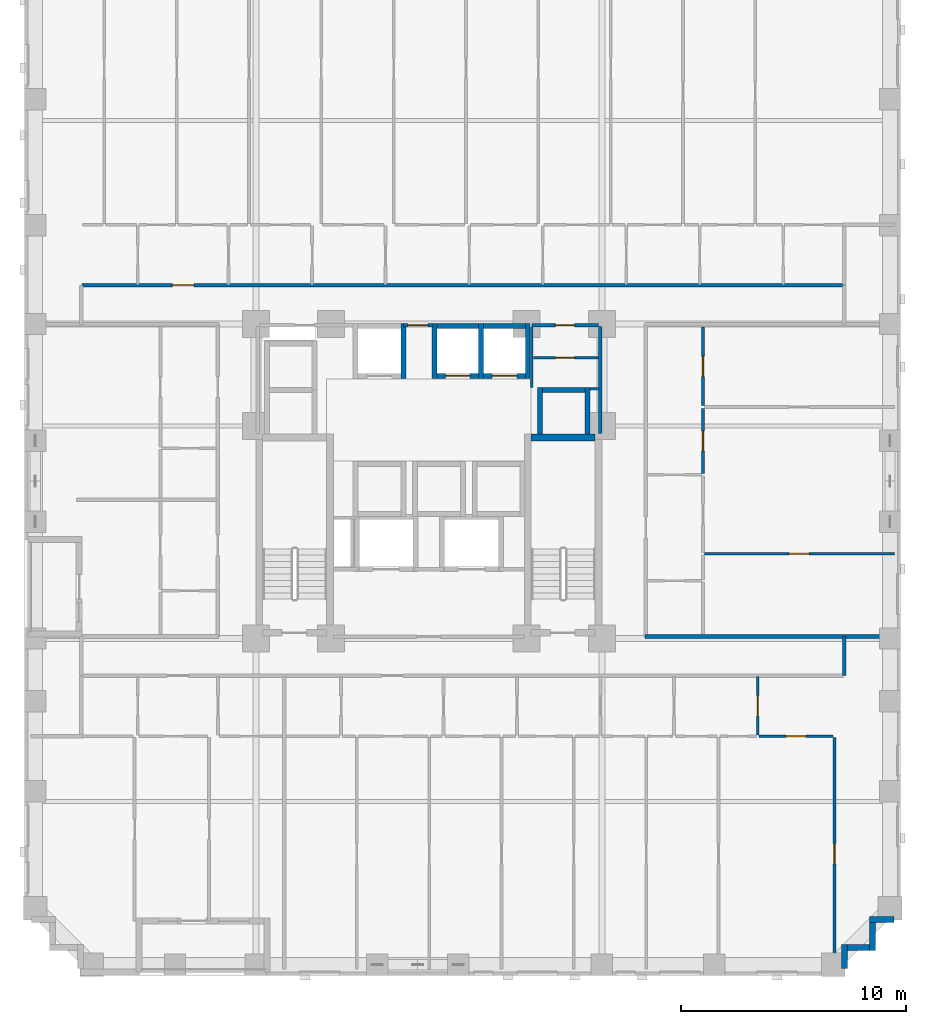
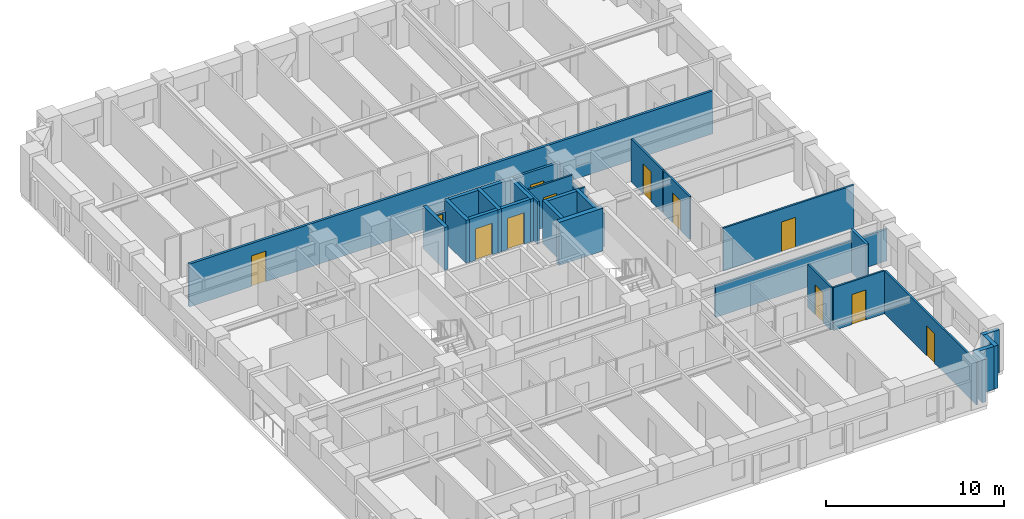
# One storey, part 6 of 14: 31 walls, 12 doors, 12 openings.
"""IFC4 building model written with IfcOpenShell, lengths in metres."""

from ifc_helpers import new_model, si_unit, derived_unit, direction, frame, frame_2d, origin, place, context, subcontext, project, spatial, rectangle, extrude, material, layer, layer_set, type_object, element, fill, save


model = new_model("IFC4")

# Units and contexts
model_context = context("Model", 3, precision=1e-05, world=origin(), true_north=direction((0.0, 1.0)))
body_context = subcontext(model_context, "Body", "Model", "MODEL_VIEW")
ifc_project = project(units=[si_unit("LENGTHUNIT", "METRE"), si_unit("AREAUNIT", "SQUARE_METRE"), si_unit("VOLUMEUNIT", "CUBIC_METRE"), si_unit("PLANEANGLEUNIT", "RADIAN"), si_unit("MASSUNIT", "GRAM", prefix="KILO"), derived_unit("THERMALTRANSMITTANCEUNIT", [(si_unit("MASSUNIT", "GRAM", prefix="KILO"), 1), (si_unit("TIMEUNIT", "SECOND"), -3), (si_unit("THERMODYNAMICTEMPERATUREUNIT", "KELVIN"), -1)])], contexts=[model_context])

# Site, building, storey
site_placement = place(None, origin())
site = spatial("IfcSite", under=ifc_project, at=site_placement, CompositionType="ELEMENT")
building_placement = place(site_placement, origin())
building = spatial("IfcBuilding", under=site, at=building_placement, Name="Korrvale Station Residences", CompositionType="ELEMENT")
storey_placement = place(building_placement, frame((0.0, 0.0, 38.60009765625)))
storey = spatial("IfcBuildingStorey", under=building, at=storey_placement, Name="L09", CompositionType="ELEMENT", Elevation=38.60009765625)

# Walls
ifc_material_1 = material(Name="Concrete C70/85", Category="concrete")
ifc_layer_1 = layer(ifc_material_1, 0.300048828125, Name="Concrete C70/85")
ifc_layer_set_1 = layer_set([ifc_layer_1], Name="Concrete C70/85")
wall_type_1 = type_object("IfcWallType", Name="WAL-CORE-300-C70", PredefinedType="SHEAR", material=ifc_layer_set_1)
wall_1_placement = place(storey_placement, frame((30.050048828125, 23.949951171875, 0.0), z_axis=(0.0, 0.0, 1.0), x_axis=(1.0, 0.0, 0.0)))
element("IfcWall", 1, at=wall_1_placement, inside=storey, type_object=wall_type_1, Name="L09 ST-2 Core Shear Wall North", PredefinedType="SHEAR", context=body_context, shape_type="SweptSolid", body=[
    extrude(rectangle(XDim=2.849853515625, YDim=0.300048828125, at=frame_2d((1.4248046875, 0.0))), origin(), (0.0, 0.0, 1.0), 2.93994140625),
])
ifc_material_2 = material(Name="Precast concrete C45/55", Category="concrete")
ifc_layer_2 = layer(ifc_material_2, 0.260009765625, Name="Precast concrete C45/55")
ifc_layer_set_2 = layer_set([ifc_layer_2], Name="Precast concrete C45/55")
wall_type_2 = type_object("IfcWallType", Name="WAL-EXT-LOG260", PredefinedType="SOLIDWALL", material=ifc_layer_set_2)
wall_2_placement = place(storey_placement, frame((46.197998046875, 2.5, 0.0), z_axis=(0.0, 0.0, 1.0), x_axis=(-1.0, 0.0, 0.0)))
element("IfcWall", 2, at=wall_2_placement, inside=storey, type_object=wall_type_2, Name="L09 Serrated Corner Precast Step SE-1", PredefinedType="SOLIDWALL", context=body_context, shape_type="SweptSolid", body=[
    extrude(rectangle(XDim=1.077880859375, YDim=0.260009765625, at=frame_2d((0.5390625, 0.0))), origin(), (0.0, 0.0, 1.0), 2.93994140625),
])
wall_3_placement = place(storey_placement, frame((45.25, 2.367919921875, 0.0), z_axis=(0.0, 0.0, 1.0), x_axis=(0.0, -1.0, 0.0)))
element("IfcWall", 3, at=wall_3_placement, inside=storey, type_object=wall_type_2, Name="L09 Serrated Corner Precast Step SE-2", PredefinedType="SOLIDWALL", context=body_context, shape_type="SweptSolid", body=[
    extrude(rectangle(XDim=1.247802734375, YDim=0.260009765625, at=frame_2d((0.6240234375, 0.0))), origin(), (0.0, 0.0, 1.0), 2.93994140625),
])
wall_4_placement = place(storey_placement, frame((45.117919921875, 1.25, 0.0), z_axis=(0.0, 0.0, 1.0), x_axis=(-1.0, 0.0, 0.0)))
element("IfcWall", 4, at=wall_4_placement, inside=storey, type_object=wall_type_2, Name="L09 Serrated Corner Precast Step SE-3", PredefinedType="SOLIDWALL", context=body_context, shape_type="SweptSolid", body=[
    extrude(rectangle(XDim=0.98583984375, YDim=0.260009765625, at=frame_2d((0.492919921875, 0.0))), origin(), (0.0, 0.0, 1.0), 2.93994140625),
])
wall_5_placement = place(storey_placement, frame((44.0, 1.3798828125, 0.0), z_axis=(0.0, 0.0, 1.0), x_axis=(0.0, -1.0, 0.0)))
element("IfcWall", 5, at=wall_5_placement, inside=storey, type_object=wall_type_2, Name="L09 Serrated Corner Precast Step SE-4", PredefinedType="SOLIDWALL", context=body_context, shape_type="SweptSolid", body=[
    extrude(rectangle(XDim=1.077880859375, YDim=0.260009765625, at=frame_2d((0.5390625, 0.0))), origin(), (0.0, 0.0, 1.0), 2.93994140625),
])
ifc_material_3 = material(Name="Acoustic steel-stud gypsum board partition", Category="steel")
ifc_layer_3 = layer(ifc_material_3, 0.1201171875, Name="Acoustic steel-stud gypsum board partition")
ifc_layer_set_3 = layer_set([ifc_layer_3], Name="Acoustic steel-stud gypsum board partition")
wall_type_3 = type_object("IfcWallType", Name="WAL-PART-125", PredefinedType="PARTITIONING", material=ifc_layer_set_3)
wall_6_placement = place(storey_placement, frame((30.080078125, 26.179931640625, 0.0), z_axis=(0.0, 0.0, 1.0), x_axis=(0.0, 1.0, 0.0)))
element("IfcWall", 6, at=wall_6_placement, inside=storey, type_object=wall_type_3, Name="L09 Core Partition CW-CS-W", PredefinedType="PARTITIONING", context=body_context, shape_type="SweptSolid", body=[
    extrude(rectangle(XDim=2.68017578125, YDim=0.1201171875, at=frame_2d((1.340087890625, 0.0))), origin(), (0.0, 0.0, 1.0), 2.93994140625),
])
wall_7_placement = place(storey_placement, frame((32.679931640625, 26.1201171875, 0.0), z_axis=(0.0, 0.0, 1.0), x_axis=(1.0, 0.0, 0.0)))
element("IfcWall", 7, at=wall_7_placement, inside=storey, type_object=wall_type_3, Name="L09 Core Partition CW-CS-S", PredefinedType="PARTITIONING", context=body_context, shape_type="SweptSolid", body=[
    extrude(rectangle(XDim=0.380126953125, YDim=0.1201171875, at=frame_2d((0.18994140625, 0.0))), origin(), (0.0, 0.0, 1.0), 2.93994140625),
])

# Wall, opening, door
wall_8_placement = place(storey_placement, frame((30.159912109375, 27.5, 0.0), z_axis=(0.0, 0.0, 1.0), x_axis=(1.0, 0.0, 0.0)))
wall_8 = element("IfcWall", 8, at=wall_8_placement, inside=storey, type_object=wall_type_3, Name="L09 Core Partition CW-CS-H", PredefinedType="PARTITIONING", context=body_context, shape_type="SweptSolid", body=[
    extrude(rectangle(XDim=2.880126953125, YDim=0.1201171875, at=frame_2d((1.43994140625, 0.0))), origin(), (0.0, 0.0, 1.0), 2.93994140625),
])
opening_1_placement = place(wall_8_placement, frame((0.969970703125, 0.0, 0.0)))
opening_1 = element("IfcOpeningElement", 9, at=opening_1_placement, cuts=wall_8, Name="Opening DB-860", PredefinedType="OPENING", context=body_context, shape_type="SweptSolid", body=[
    extrude(rectangle(XDim=0.860107421875, YDim=2.050048828125, at=frame_2d((0.43017578125, 1.02490234375))), frame((0.0, 0.070068359375, 0.0), z_axis=(0.0, -1.0, 0.0), x_axis=(1.0, 0.0, 0.0)), (0.0, 0.0, 1.0), 0.14013671875),
])
ifc_material_4 = material(Name="Moisture-resistant solid-core bathroom door", Category="timber")
door_type_1 = type_object("IfcDoorType", Name="DR-BATH-860", OperationType="NOTDEFINED", PredefinedType="DOOR", material=ifc_material_4)
door_1_placement = place(opening_1_placement, origin())
door_1 = element("IfcDoor", 10, at=door_1_placement, inside=storey, type_object=door_type_1, Name="L09 Mail Sorting Inner Door", OperationType="SINGLE_SWING_RIGHT", OverallHeight=2.050048828125, OverallWidth=0.860107421875, PredefinedType="DOOR", context=body_context, shape_type="SweptSolid", body=[
    extrude(rectangle(XDim=0.860107421875, YDim=2.050048828125, at=frame_2d((0.43017578125, 1.02490234375))), frame((0.0, 0.02490234375, 0.0), z_axis=(0.0, -1.0, 0.0), x_axis=(1.0, 0.0, 0.0)), (0.0, 0.0, 1.0), 0.050048828125),
])
fill(opening_1, door_1)

wall_9_placement = place(storey_placement, frame((40.1298828125, 10.7099609375, 0.0), z_axis=(0.0, 0.0, 1.0), x_axis=(0.0, 1.0, 0.0)))
wall_9 = element("IfcWall", 11, at=wall_9_placement, inside=storey, type_object=wall_type_3, Name="L09 Suite Partition U02-V56", PredefinedType="PARTITIONING", context=body_context, shape_type="SweptSolid", body=[
    extrude(rectangle(XDim=2.60009765625, YDim=0.1201171875, at=frame_2d((1.300048828125, 0.0))), origin(), (0.0, 0.0, 1.0), 2.93994140625),
])
opening_2_placement = place(wall_9_placement, frame((0.85009765625, 0.0, 0.0)))
opening_2 = element("IfcOpeningElement", 12, at=opening_2_placement, cuts=wall_9, Name="Opening DI-900", PredefinedType="OPENING", context=body_context, shape_type="SweptSolid", body=[
    extrude(rectangle(XDim=0.89990234375, YDim=2.050048828125, at=frame_2d((0.449951171875, 1.02490234375))), frame((0.0, 0.070068359375, 0.0), z_axis=(0.0, -1.0, 0.0), x_axis=(1.0, 0.0, 0.0)), (0.0, 0.0, 1.0), 0.14013671875),
])
ifc_material_5 = material(Name="Painted solid-core timber interior room door", Category="wood")
door_type_2 = type_object("IfcDoorType", Name="DR-INT-900", OperationType="NOTDEFINED", PredefinedType="DOOR", material=ifc_material_5)
door_2_placement = place(opening_2_placement, origin())
door_2 = element("IfcDoor", 13, at=door_2_placement, inside=storey, type_object=door_type_2, Name="L09 Studio Apartment L09-U02 Storage Closet 4 Door", OperationType="SINGLE_SWING_RIGHT", OverallHeight=2.050048828125, OverallWidth=0.89990234375, PredefinedType="DOOR", context=body_context, shape_type="SweptSolid", body=[
    extrude(rectangle(XDim=0.89990234375, YDim=2.050048828125, at=frame_2d((0.449951171875, 1.02490234375))), frame((0.0, 0.02490234375, 0.0), z_axis=(0.0, -1.0, 0.0), x_axis=(1.0, 0.0, 0.0)), (0.0, 0.0, 1.0), 0.050048828125),
])
fill(opening_2, door_2)

wall_10_placement = place(storey_placement, frame((40.18994140625, 10.64990234375, 0.0), z_axis=(0.0, 0.0, 1.0), x_axis=(1.0, 0.0, 0.0)))
wall_10 = element("IfcWall", 14, at=wall_10_placement, inside=storey, type_object=wall_type_3, Name="L09 Suite Partition U02-H613", PredefinedType="PARTITIONING", context=body_context, shape_type="SweptSolid", body=[
    extrude(rectangle(XDim=3.300048828125, YDim=0.1201171875, at=frame_2d((1.64990234375, 0.0))), origin(), (0.0, 0.0, 1.0), 2.93994140625),
])
opening_3_placement = place(wall_10_placement, frame((1.199951171875, 0.0, 0.0)))
opening_3 = element("IfcOpeningElement", 15, at=opening_3_placement, cuts=wall_10, Name="Opening DI-900", PredefinedType="OPENING", context=body_context, shape_type="SweptSolid", body=[
    extrude(rectangle(XDim=0.89990234375, YDim=2.050048828125, at=frame_2d((0.449951171875, 1.02490234375))), frame((0.0, 0.070068359375, 0.0), z_axis=(0.0, -1.0, 0.0), x_axis=(1.0, 0.0, 0.0)), (0.0, 0.0, 1.0), 0.14013671875),
])
door_3_placement = place(opening_3_placement, origin())
door_3 = element("IfcDoor", 16, at=door_3_placement, inside=storey, type_object=door_type_2, Name="L09 Studio Apartment L09-U02 Storage Closet 5 Door", OperationType="SINGLE_SWING_LEFT", OverallHeight=2.050048828125, OverallWidth=0.89990234375, PredefinedType="DOOR", context=body_context, shape_type="SweptSolid", body=[
    extrude(rectangle(XDim=0.89990234375, YDim=2.050048828125, at=frame_2d((0.449951171875, 1.02490234375))), frame((0.0, 0.02490234375, 0.0), z_axis=(0.0, -1.0, 0.0), x_axis=(1.0, 0.0, 0.0)), (0.0, 0.0, 1.0), 0.050048828125),
])
fill(opening_3, door_3)

wall_11_placement = place(storey_placement, frame((43.550048828125, 0.280029296875, 0.0), z_axis=(0.0, 0.0, 1.0), x_axis=(0.0, 1.0, 0.0)))
wall_11 = element("IfcWall", 17, at=wall_11_placement, inside=storey, type_object=wall_type_3, Name="L09 Suite Partition U02-V1314", PredefinedType="PARTITIONING", context=body_context, shape_type="SweptSolid", body=[
    extrude(rectangle(XDim=10.31005859375, YDim=0.1201171875, at=frame_2d((5.155029296875, 0.0))), origin(), (0.0, 0.0, 1.0), 2.93994140625),
])
opening_4_placement = place(wall_11_placement, frame((4.68994140625, 0.0, 0.0)))
opening_4 = element("IfcOpeningElement", 18, at=opening_4_placement, cuts=wall_11, Name="Opening DI-900", PredefinedType="OPENING", context=body_context, shape_type="SweptSolid", body=[
    extrude(rectangle(XDim=0.89990234375, YDim=2.050048828125, at=frame_2d((0.449951171875, 1.02490234375))), frame((0.0, 0.070068359375, 0.0), z_axis=(0.0, -1.0, 0.0), x_axis=(1.0, 0.0, 0.0)), (0.0, 0.0, 1.0), 0.14013671875),
])
door_4_placement = place(opening_4_placement, origin())
door_4 = element("IfcDoor", 19, at=door_4_placement, inside=storey, type_object=door_type_2, Name="L09 Studio Apartment L09-U02 Studio Living Room Door", OperationType="SINGLE_SWING_RIGHT", OverallHeight=2.050048828125, OverallWidth=0.89990234375, PredefinedType="DOOR", context=body_context, shape_type="SweptSolid", body=[
    extrude(rectangle(XDim=0.89990234375, YDim=2.050048828125, at=frame_2d((0.449951171875, 1.02490234375))), frame((0.0, 0.02490234375, 0.0), z_axis=(0.0, -1.0, 0.0), x_axis=(1.0, 0.0, 0.0)), (0.0, 0.0, 1.0), 0.050048828125),
])
fill(opening_4, door_4)

wall_12_placement = place(storey_placement, frame((37.699951171875, 22.35009765625, 0.0), z_axis=(0.0, 0.0, 1.0), x_axis=(0.0, 1.0, 0.0)))
wall_12 = element("IfcWall", 20, at=wall_12_placement, inside=storey, type_object=wall_type_3, Name="L09 Suite Partition U06-V04", PredefinedType="PARTITIONING", context=body_context, shape_type="SweptSolid", body=[
    extrude(rectangle(XDim=2.890869140625, YDim=0.1201171875, at=frame_2d((1.4453125, 0.0))), origin(), (0.0, 0.0, 1.0), 2.93994140625),
])
opening_5_placement = place(wall_12_placement, frame((0.9951171875, 0.0, 0.0)))
opening_5 = element("IfcOpeningElement", 21, at=opening_5_placement, cuts=wall_12, Name="Opening DI-900", PredefinedType="OPENING", context=body_context, shape_type="SweptSolid", body=[
    extrude(rectangle(XDim=0.89990234375, YDim=2.050048828125, at=frame_2d((0.449951171875, 1.02490234375))), frame((0.0, 0.070068359375, 0.0), z_axis=(0.0, -1.0, 0.0), x_axis=(1.0, 0.0, 0.0)), (0.0, 0.0, 1.0), 0.14013671875),
])
door_5_placement = place(opening_5_placement, origin())
door_5 = element("IfcDoor", 22, at=door_5_placement, inside=storey, type_object=door_type_2, Name="L09 Apartment 2BR L09-U06 Wardrobe Storage Room Door", OperationType="SINGLE_SWING_LEFT", OverallHeight=2.050048828125, OverallWidth=0.89990234375, PredefinedType="DOOR", context=body_context, shape_type="SweptSolid", body=[
    extrude(rectangle(XDim=0.89990234375, YDim=2.050048828125, at=frame_2d((0.449951171875, 1.02490234375))), frame((0.0, 0.02490234375, 0.0), z_axis=(0.0, -1.0, 0.0), x_axis=(1.0, 0.0, 0.0)), (0.0, 0.0, 1.0), 0.050048828125),
])
fill(opening_5, door_5)

wall_13_placement = place(storey_placement, frame((37.699951171875, 25.361083984375, 0.0), z_axis=(0.0, 0.0, 1.0), x_axis=(0.0, 1.0, 0.0)))
wall_13 = element("IfcWall", 23, at=wall_13_placement, inside=storey, type_object=wall_type_3, Name="L09 Suite Partition U06-V05", PredefinedType="PARTITIONING", context=body_context, shape_type="SweptSolid", body=[
    extrude(rectangle(XDim=3.4990234375, YDim=0.1201171875, at=frame_2d((1.74951171875, 0.0))), origin(), (0.0, 0.0, 1.0), 2.93994140625),
])
opening_6_placement = place(wall_13_placement, frame((1.299072265625, 0.0, 0.0)))
opening_6 = element("IfcOpeningElement", 24, at=opening_6_placement, cuts=wall_13, Name="Opening DI-900", PredefinedType="OPENING", context=body_context, shape_type="SweptSolid", body=[
    extrude(rectangle(XDim=0.89990234375, YDim=2.050048828125, at=frame_2d((0.449951171875, 1.02490234375))), frame((0.0, 0.070068359375, 0.0), z_axis=(0.0, -1.0, 0.0), x_axis=(1.0, 0.0, 0.0)), (0.0, 0.0, 1.0), 0.14013671875),
])
door_6_placement = place(opening_6_placement, origin())
door_6 = element("IfcDoor", 25, at=door_6_placement, inside=storey, type_object=door_type_2, Name="L09 Apartment 2BR L09-U06 Wardrobe Storage Room Door", OperationType="SINGLE_SWING_RIGHT", OverallHeight=2.050048828125, OverallWidth=0.89990234375, PredefinedType="DOOR", context=body_context, shape_type="SweptSolid", body=[
    extrude(rectangle(XDim=0.89990234375, YDim=2.050048828125, at=frame_2d((0.449951171875, 1.02490234375))), frame((0.0, 0.02490234375, 0.0), z_axis=(0.0, -1.0, 0.0), x_axis=(1.0, 0.0, 0.0)), (0.0, 0.0, 1.0), 0.050048828125),
])
fill(opening_6, door_6)

wall_14_placement = place(storey_placement, frame((37.760009765625, 18.76904296875, 0.0), z_axis=(0.0, 0.0, 1.0), x_axis=(1.0, 0.0, 0.0)))
wall_14 = element("IfcWall", 26, at=wall_14_placement, inside=storey, type_object=wall_type_3, Name="L09 Suite Partition U06-H34", PredefinedType="PARTITIONING", context=body_context, shape_type="SweptSolid", body=[
    extrude(rectangle(XDim=8.4599609375, YDim=0.1201171875, at=frame_2d((4.22998046875, 0.0))), origin(), (0.0, 0.0, 1.0), 2.93994140625),
])
opening_7_placement = place(wall_14_placement, frame((3.764892578125, 0.0, 0.0)))
opening_7 = element("IfcOpeningElement", 27, at=opening_7_placement, cuts=wall_14, Name="Opening DI-900", PredefinedType="OPENING", context=body_context, shape_type="SweptSolid", body=[
    extrude(rectangle(XDim=0.89990234375, YDim=2.050048828125, at=frame_2d((0.449951171875, 1.02490234375))), frame((0.0, 0.070068359375, 0.0), z_axis=(0.0, -1.0, 0.0), x_axis=(1.0, 0.0, 0.0)), (0.0, 0.0, 1.0), 0.14013671875),
])
door_7_placement = place(opening_7_placement, origin())
door_7 = element("IfcDoor", 28, at=door_7_placement, inside=storey, type_object=door_type_2, Name="L09 Apartment 2BR L09-U06 Bedroom 1 Door", OperationType="SINGLE_SWING_LEFT", OverallHeight=2.050048828125, OverallWidth=0.89990234375, PredefinedType="DOOR", context=body_context, shape_type="SweptSolid", body=[
    extrude(rectangle(XDim=0.89990234375, YDim=2.050048828125, at=frame_2d((0.449951171875, 1.02490234375))), frame((0.0, 0.02490234375, 0.0), z_axis=(0.0, -1.0, 0.0), x_axis=(1.0, 0.0, 0.0)), (0.0, 0.0, 1.0), 0.050048828125),
])
fill(opening_7, door_7)

# Wall
ifc_material_6 = material(Name="Fire-rated twin-stud gypsum and mineral wool shaftwall assembly", Category="gypsum")
ifc_layer_4 = layer(ifc_material_6, 0.159912109375, Name="Fire-rated twin-stud gypsum and mineral wool shaftwall assembly")
ifc_layer_set_4 = layer_set([ifc_layer_4], Name="Fire-rated twin-stud gypsum and mineral wool shaftwall assembly")
wall_type_4 = type_object("IfcWallType", Name="WAL-PART-200", PredefinedType="PARTITIONING", material=ifc_layer_set_4)
wall_15_placement = place(storey_placement, frame((33.1201171875, 24.1201171875, 0.0), z_axis=(0.0, 0.0, 1.0), x_axis=(0.0, 1.0, 0.0)))
element("IfcWall", 29, at=wall_15_placement, inside=storey, type_object=wall_type_4, Name="L09 Core Partition CW-E-N", PredefinedType="PARTITIONING", context=body_context, shape_type="SweptSolid", body=[
    extrude(rectangle(XDim=4.759765625, YDim=0.159912109375, at=frame_2d((2.3798828125, 0.0))), origin(), (0.0, 0.0, 1.0), 2.27490234375),
])

# Wall, opening, door
wall_16_placement = place(storey_placement, frame((24.360107421875, 28.949951171875, 0.0), z_axis=(0.0, 0.0, 1.0), x_axis=(1.0, 0.0, 0.0)))
wall_16 = element("IfcWall", 30, at=wall_16_placement, inside=storey, type_object=wall_type_4, Name="L09 Core Partition CW-LLOB-N", PredefinedType="PARTITIONING", context=body_context, shape_type="SweptSolid", body=[
    extrude(rectangle(XDim=1.31982421875, YDim=0.159912109375, at=frame_2d((0.659912109375, 0.0))), origin(), (0.0, 0.0, 1.0), 2.15478515625),
])
opening_8_placement = place(wall_16_placement, frame((0.2099609375, 0.0, 0.0)))
opening_8 = element("IfcOpeningElement", 31, at=opening_8_placement, cuts=wall_16, Name="Opening DI-900", PredefinedType="OPENING", context=body_context, shape_type="SweptSolid", body=[
    extrude(rectangle(XDim=0.89990234375, YDim=2.050048828125, at=frame_2d((0.449951171875, 1.02490234375))), frame((0.0, 0.08984375, 0.0), z_axis=(0.0, -1.0, 0.0), x_axis=(1.0, 0.0, 0.0)), (0.0, 0.0, 1.0), 0.179931640625),
])
door_8_placement = place(opening_8_placement, origin())
door_8 = element("IfcDoor", 32, at=door_8_placement, inside=storey, type_object=door_type_2, Name="L09 Central Hallway North Passage Door", OperationType="SINGLE_SWING_RIGHT", OverallHeight=2.050048828125, OverallWidth=0.89990234375, PredefinedType="DOOR", context=body_context, shape_type="SweptSolid", body=[
    extrude(rectangle(XDim=0.89990234375, YDim=2.050048828125, at=frame_2d((0.449951171875, 1.02490234375))), frame((0.0, 0.02490234375, 0.0), z_axis=(0.0, -1.0, 0.0), x_axis=(1.0, 0.0, 0.0)), (0.0, 0.0, 1.0), 0.050048828125),
])
fill(opening_8, door_8)

wall_17_placement = place(storey_placement, frame((30.080078125, 28.949951171875, 0.0), z_axis=(0.0, 0.0, 1.0), x_axis=(1.0, 0.0, 0.0)))
wall_17 = element("IfcWall", 33, at=wall_17_placement, inside=storey, type_object=wall_type_4, Name="L09 Core Partition CW-CS-N", PredefinedType="PARTITIONING", context=body_context, shape_type="SweptSolid", body=[
    extrude(rectangle(XDim=2.9599609375, YDim=0.159912109375, at=frame_2d((1.47998046875, 0.0))), origin(), (0.0, 0.0, 1.0), 2.93994140625),
])
opening_9_placement = place(wall_17_placement, frame((1.044921875, 0.0, 0.0)))
opening_9 = element("IfcOpeningElement", 34, at=opening_9_placement, cuts=wall_17, Name="Opening DB-860", PredefinedType="OPENING", context=body_context, shape_type="SweptSolid", body=[
    extrude(rectangle(XDim=0.860107421875, YDim=2.050048828125, at=frame_2d((0.43017578125, 1.02490234375))), frame((0.0, 0.08984375, 0.0), z_axis=(0.0, -1.0, 0.0), x_axis=(1.0, 0.0, 0.0)), (0.0, 0.0, 1.0), 0.179931640625),
])
door_9_placement = place(opening_9_placement, origin())
door_9 = element("IfcDoor", 35, at=door_9_placement, inside=storey, type_object=door_type_1, Name="L09 Housekeeping Pantry Door", OperationType="SINGLE_SWING_LEFT", OverallHeight=2.050048828125, OverallWidth=0.860107421875, PredefinedType="DOOR", context=body_context, shape_type="SweptSolid", body=[
    extrude(rectangle(XDim=0.860107421875, YDim=2.050048828125, at=frame_2d((0.43017578125, 1.02490234375))), frame((0.0, 0.02490234375, 0.0), z_axis=(0.0, -1.0, 0.0), x_axis=(1.0, 0.0, 0.0)), (0.0, 0.0, 1.0), 0.050048828125),
])
fill(opening_9, door_9)

# Walls
wall_18_placement = place(storey_placement, frame((43.97998046875, 13.35009765625, 0.0), z_axis=(0.0, 0.0, 1.0), x_axis=(0.0, 1.0, 0.0)))
element("IfcWall", 36, at=wall_18_placement, inside=storey, type_object=wall_type_4, Name="L09 Corridor South East Cap", PredefinedType="PARTITIONING", context=body_context, shape_type="SweptSolid", body=[
    extrude(rectangle(XDim=1.739990234375, YDim=0.159912109375, at=frame_2d((0.8701171875, 0.0))), origin(), (0.0, 0.0, 1.0), 2.93994140625),
])
wall_19_placement = place(storey_placement, frame((35.110107421875, 15.090087890625, 0.0), z_axis=(0.0, 0.0, 1.0), x_axis=(1.0, 0.0, 0.0)))
element("IfcWall", 37, at=wall_19_placement, inside=storey, type_object=wall_type_4, Name="L09 East Wing South Corridor Wall", PredefinedType="PARTITIONING", context=body_context, shape_type="SweptSolid", body=[
    extrude(rectangle(XDim=11.10986328125, YDim=0.159912109375, at=frame_2d((5.554931640625, 0.0))), origin(), (0.0, 0.0, 1.0), 2.15478515625),
])

# Wall, opening, door
wall_20_placement = place(storey_placement, frame((10.050048828125, 30.719970703125, 0.0), z_axis=(0.0, 0.0, 1.0), x_axis=(1.0, 0.0, 0.0)))
wall_20 = element("IfcWall", 38, at=wall_20_placement, inside=storey, type_object=wall_type_4, Name="L09 Rated Corridor Wall N", PredefinedType="PARTITIONING", context=body_context, shape_type="SweptSolid", body=[
    extrude(rectangle(XDim=33.89990234375, YDim=0.159912109375, at=frame_2d((16.949951171875, 0.0))), origin(), (0.0, 0.0, 1.0), 2.93994140625),
])
opening_10_placement = place(wall_20_placement, frame((4.034912109375, 0.0, 0.0)))
opening_10 = element("IfcOpeningElement", 39, at=opening_10_placement, cuts=wall_20, Name="Opening UD-950", PredefinedType="OPENING", context=body_context, shape_type="SweptSolid", body=[
    extrude(rectangle(XDim=0.949951171875, YDim=2.10009765625, at=frame_2d((0.47509765625, 1.050048828125))), frame((0.0, 0.08984375, 0.0), z_axis=(0.0, -1.0, 0.0), x_axis=(1.0, 0.0, 0.0)), (0.0, 0.0, 1.0), 0.179931640625),
])
ifc_material_7 = material(Name="Solid-core acoustic oak apartment entrance door", Category="timber")
door_type_3 = type_object("IfcDoorType", Name="DR-UNIT-950", OperationType="NOTDEFINED", PredefinedType="DOOR", material=ifc_material_7)
door_10_placement = place(opening_10_placement, origin())
door_10 = element("IfcDoor", 40, at=door_10_placement, inside=storey, type_object=door_type_3, Name="L09 Apartment L09-U03 Entrance Door", OperationType="SINGLE_SWING_LEFT", OverallHeight=2.10009765625, OverallWidth=0.949951171875, PredefinedType="DOOR", context=body_context, shape_type="SweptSolid", body=[
    extrude(rectangle(XDim=0.949951171875, YDim=2.10009765625, at=frame_2d((0.47509765625, 1.050048828125))), frame((0.0, 0.02490234375, 0.0), z_axis=(0.0, -1.0, 0.0), x_axis=(1.0, 0.0, 0.0)), (0.0, 0.0, 1.0), 0.050048828125),
])
fill(opening_10, door_10)

# Wall
ifc_layer_5 = layer(ifc_material_1, 0.219970703125, Name="Concrete C70/85")
ifc_layer_set_5 = layer_set([ifc_layer_5], Name="Concrete C70/85")
wall_type_5 = type_object("IfcWallType", Name="WAL-SHAFT-220-C70", PredefinedType="SHEAR", material=ifc_layer_set_5)
wall_21_placement = place(storey_placement, frame((24.360107421875, 26.580078125, 0.0), z_axis=(0.0, 0.0, 1.0), x_axis=(0.0, 1.0, 0.0)))
element("IfcWall", 41, at=wall_21_placement, inside=storey, type_object=wall_type_5, Name="L09 Elevator PL-1 Hoistway Wall East", PredefinedType="SHEAR", context=body_context, shape_type="SweptSolid", body=[
    extrude(rectangle(XDim=2.43994140625, YDim=0.219970703125, at=frame_2d((1.219970703125, 0.0))), origin(), (0.0, 0.0, 1.0), 2.93994140625),
])

# Wall, opening, door
wall_22_placement = place(storey_placement, frame((25.85009765625, 26.68994140625, 0.0), z_axis=(0.0, 0.0, 1.0), x_axis=(1.0, 0.0, 0.0)))
wall_22 = element("IfcWall", 42, at=wall_22_placement, inside=storey, type_object=wall_type_5, Name="L09 Elevator PL-2 Hoistway Wall South", PredefinedType="SHEAR", context=body_context, shape_type="SweptSolid", body=[
    extrude(rectangle(XDim=1.85986328125, YDim=0.219970703125, at=frame_2d((0.929931640625, 0.0))), origin(), (0.0, 0.0, 1.0), 2.93994140625),
])
opening_11_placement = place(wall_22_placement, frame((0.3798828125, 0.0, 0.0)))
opening_11 = element("IfcOpeningElement", 43, at=opening_11_placement, cuts=wall_22, Name="Opening LD-1100", PredefinedType="OPENING", context=body_context, shape_type="SweptSolid", body=[
    extrude(rectangle(XDim=1.10009765625, YDim=2.14990234375, at=frame_2d((0.550048828125, 1.074951171875))), frame((0.0, 0.1201171875, 0.0), z_axis=(0.0, -1.0, 0.0), x_axis=(1.0, 0.0, 0.0)), (0.0, 0.0, 1.0), 0.239990234375),
])
ifc_material_8 = material(Name="Brushed stainless-steel elevator landing sliding door", Category="steel")
door_type_4 = type_object("IfcDoorType", Name="DR-LIFT-1100", OperationType="SLIDING_TO_LEFT", PredefinedType="DOOR", material=ifc_material_8)
door_11_placement = place(opening_11_placement, origin())
door_11 = element("IfcDoor", 44, at=door_11_placement, inside=storey, type_object=door_type_4, Name="L09 Elevator PL-2 Sliding Landing Door", OperationType="SLIDING_TO_LEFT", OverallHeight=2.14990234375, OverallWidth=1.10009765625, PredefinedType="DOOR", context=body_context, shape_type="SweptSolid", body=[
    extrude(rectangle(XDim=1.10009765625, YDim=2.14990234375, at=frame_2d((0.550048828125, 1.074951171875))), frame((0.0, 0.02490234375, 0.0), z_axis=(0.0, -1.0, 0.0), x_axis=(1.0, 0.0, 0.0)), (0.0, 0.0, 1.0), 0.050048828125),
])
fill(opening_11, door_11)

# Walls
wall_23_placement = place(storey_placement, frame((25.85009765625, 28.909912109375, 0.0), z_axis=(0.0, 0.0, 1.0), x_axis=(1.0, 0.0, 0.0)))
element("IfcWall", 45, at=wall_23_placement, inside=storey, type_object=wall_type_5, Name="L09 Elevator PL-2 Hoistway Wall North", PredefinedType="SHEAR", context=body_context, shape_type="SweptSolid", body=[
    extrude(rectangle(XDim=1.85986328125, YDim=0.219970703125, at=frame_2d((0.929931640625, 0.0))), origin(), (0.0, 0.0, 1.0), 2.93994140625),
])
for number, where, z_axis, x_axis, name in (
    (46, (25.739990234375, 26.580078125, 0.0), (0.0, 0.0, 1.0), (0.0, 1.0, 0.0), "L09 Elevator PL-2 Hoistway Wall West"),
    (47, (27.820068359375, 26.580078125, 0.0), (0.0, 0.0, 1.0), (0.0, 1.0, 0.0), "L09 Elevator PL-2 Hoistway Wall East"),
):
    element("IfcWall", number, at=place(storey_placement, frame(where, z_axis=z_axis, x_axis=x_axis)), inside=storey, type_object=wall_type_5, Name=name, PredefinedType="SHEAR", context=body_context, shape_type="SweptSolid", body=[
        extrude(rectangle(XDim=2.43994140625, YDim=0.219970703125, at=frame_2d((1.219970703125, 0.0))), origin(), (0.0, 0.0, 1.0), 2.93994140625),
    ])

# Wall, opening, door
wall_24_placement = place(storey_placement, frame((27.929931640625, 26.68994140625, 0.0), z_axis=(0.0, 0.0, 1.0), x_axis=(1.0, 0.0, 0.0)))
wall_24 = element("IfcWall", 48, at=wall_24_placement, inside=storey, type_object=wall_type_5, Name="L09 Elevator PL-3 Hoistway Wall South", PredefinedType="SHEAR", context=body_context, shape_type="SweptSolid", body=[
    extrude(rectangle(XDim=1.860107421875, YDim=0.219970703125, at=frame_2d((0.93017578125, 0.0))), origin(), (0.0, 0.0, 1.0), 2.93994140625),
])
opening_12_placement = place(wall_24_placement, frame((0.3798828125, 0.0, 0.0)))
opening_12 = element("IfcOpeningElement", 49, at=opening_12_placement, cuts=wall_24, Name="Opening LD-1100", PredefinedType="OPENING", context=body_context, shape_type="SweptSolid", body=[
    extrude(rectangle(XDim=1.10009765625, YDim=2.14990234375, at=frame_2d((0.550048828125, 1.074951171875))), frame((0.0, 0.1201171875, 0.0), z_axis=(0.0, -1.0, 0.0), x_axis=(1.0, 0.0, 0.0)), (0.0, 0.0, 1.0), 0.239990234375),
])
door_12_placement = place(opening_12_placement, origin())
door_12 = element("IfcDoor", 50, at=door_12_placement, inside=storey, type_object=door_type_4, Name="L09 Elevator PL-3 Sliding Landing Door", OperationType="SLIDING_TO_LEFT", OverallHeight=2.14990234375, OverallWidth=1.10009765625, PredefinedType="DOOR", context=body_context, shape_type="SweptSolid", body=[
    extrude(rectangle(XDim=1.10009765625, YDim=2.14990234375, at=frame_2d((0.550048828125, 1.074951171875))), frame((0.0, 0.02490234375, 0.0), z_axis=(0.0, -1.0, 0.0), x_axis=(1.0, 0.0, 0.0)), (0.0, 0.0, 1.0), 0.050048828125),
])
fill(opening_12, door_12)

# Walls
wall_25_placement = place(storey_placement, frame((27.929931640625, 28.909912109375, 0.0), z_axis=(0.0, 0.0, 1.0), x_axis=(1.0, 0.0, 0.0)))
element("IfcWall", 51, at=wall_25_placement, inside=storey, type_object=wall_type_5, Name="L09 Elevator PL-3 Hoistway Wall North", PredefinedType="SHEAR", context=body_context, shape_type="SweptSolid", body=[
    extrude(rectangle(XDim=1.860107421875, YDim=0.219970703125, at=frame_2d((0.93017578125, 0.0))), origin(), (0.0, 0.0, 1.0), 2.93994140625),
])
wall_26_placement = place(storey_placement, frame((29.89990234375, 26.580078125, 0.0), z_axis=(0.0, 0.0, 1.0), x_axis=(0.0, 1.0, 0.0)))
element("IfcWall", 52, at=wall_26_placement, inside=storey, type_object=wall_type_5, Name="L09 Elevator PL-3 Hoistway Wall East", PredefinedType="SHEAR", context=body_context, shape_type="SweptSolid", body=[
    extrude(rectangle(XDim=2.43994140625, YDim=0.219970703125, at=frame_2d((1.219970703125, 0.0))), origin(), (0.0, 0.0, 1.0), 2.93994140625),
])
wall_27_placement = place(storey_placement, frame((30.550048828125, 26.06005859375, 0.0), z_axis=(0.0, 0.0, 1.0), x_axis=(1.0, 0.0, 0.0)))
element("IfcWall", 53, at=wall_27_placement, inside=storey, type_object=wall_type_5, Name="L09 Elevator PH-3 Hoistway Wall North", PredefinedType="SHEAR", context=body_context, shape_type="SweptSolid", body=[
    extrude(rectangle(XDim=1.89990234375, YDim=0.219970703125, at=frame_2d((0.949951171875, 0.0))), origin(), (0.0, 0.0, 1.0), 2.93994140625),
])
for number, where, z_axis, x_axis, name in (
    (54, (30.43994140625, 24.10009765625, 0.0), (0.0, 0.0, 1.0), (0.0, 1.0, 0.0), "L09 Elevator PH-3 Hoistway Wall West"),
    (55, (32.56005859375, 24.10009765625, 0.0), (0.0, 0.0, 1.0), (0.0, 1.0, 0.0), "L09 Elevator PH-3 Hoistway Wall East"),
):
    element("IfcWall", number, at=place(storey_placement, frame(where, z_axis=z_axis, x_axis=x_axis)), inside=storey, type_object=wall_type_5, Name=name, PredefinedType="SHEAR", context=body_context, shape_type="SweptSolid", body=[
        extrude(rectangle(XDim=2.06982421875, YDim=0.219970703125, at=frame_2d((1.034912109375, 0.0))), origin(), (0.0, 0.0, 1.0), 2.93994140625),
    ])

save(model, "model.ifc")
